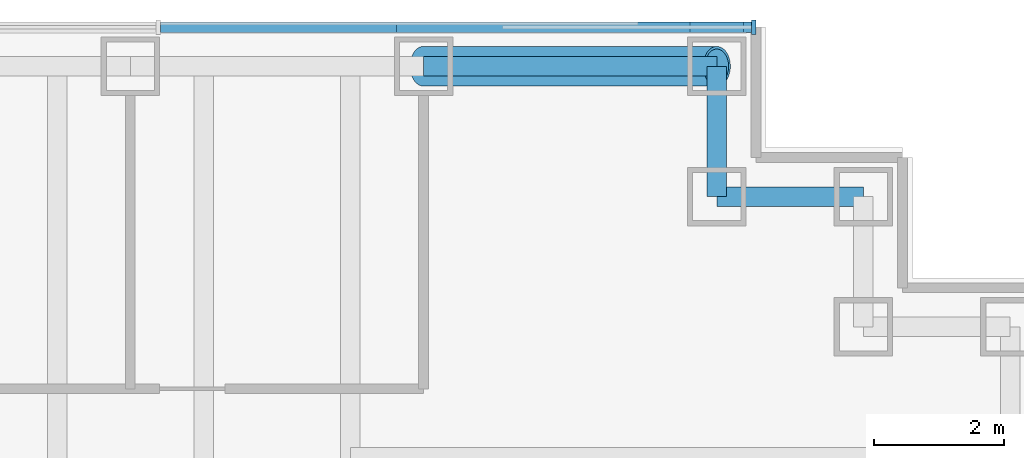
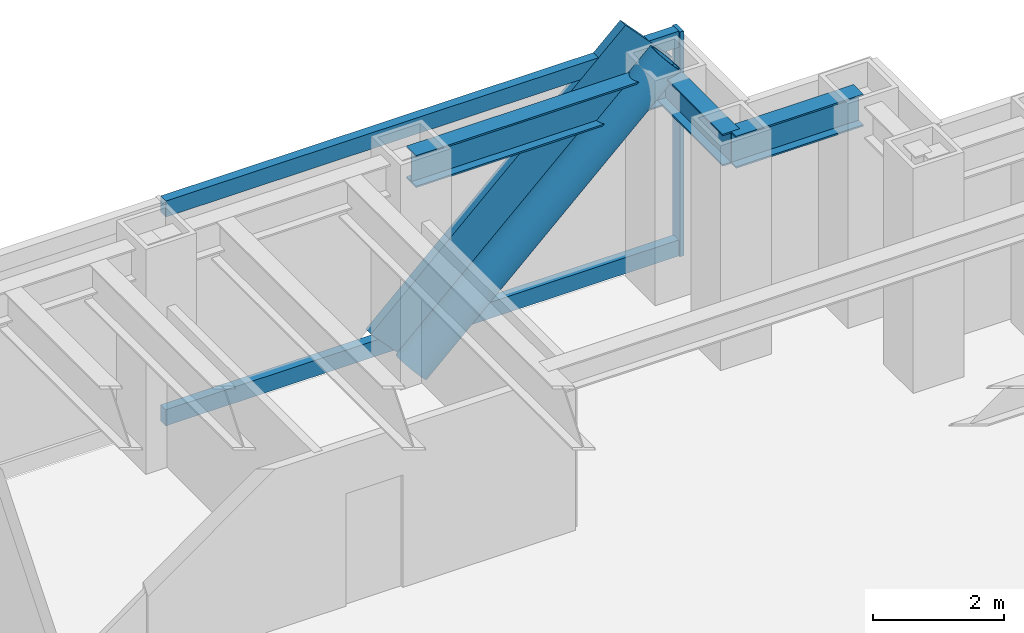
# One storey, part 8 of 14: 5 members, 3 beams, 1 element without a shape of its own.
"""IFC4 building model written with IfcOpenShell, lengths in metres."""

from ifc_helpers import new_model, si_unit, direction, frame, origin, origin_2d, place, context, subcontext, project, spatial, rectangle, hollow_circle, i_section, extrude, material, material_profile, profile_set, type_object, element, aggregate, save


model = new_model("IFC4")

# Units and contexts
model_context = context("Model", 3, precision=1e-05, world=origin(), true_north=direction((0.0, 1.0)))
body_context = subcontext(model_context, "Body", "Model", "MODEL_VIEW")
ifc_project = project(units=[si_unit("LENGTHUNIT", "METRE"), si_unit("AREAUNIT", "SQUARE_METRE"), si_unit("VOLUMEUNIT", "CUBIC_METRE"), si_unit("PLANEANGLEUNIT", "RADIAN"), si_unit("MASSUNIT", "GRAM", prefix="KILO")], contexts=[model_context])

# Site, building, storey
site_placement = place(None, origin())
site = spatial("IfcSite", under=ifc_project, at=site_placement, CompositionType="ELEMENT")
building_placement = place(site_placement, origin())
building = spatial("IfcBuilding", under=site, at=building_placement, Name="Rheinbord Bourse Tower", CompositionType="ELEMENT")
storey_placement = place(building_placement, frame((0.0, 0.0, 211.0)))
storey = spatial("IfcBuildingStorey", under=building, at=storey_placement, Name="L47", CompositionType="ELEMENT", Elevation=211.0)

# Curtain wall, members
ifc_material_1 = material(Name="Dark glass and black aluminium", Category="aluminium")
curtain_wall_type = type_object("IfcCurtainWallType", Name="CW2 DARK GLASS CURTAIN WALL", PredefinedType="USERDEFINED", material=ifc_material_1)
curtain_wall_placement = place(storey_placement, origin())
curtain_wall = element("IfcCurtainWall", 1, at=curtain_wall_placement, inside=storey, type_object=curtain_wall_type, Name="Curtain wall CW2 N L47", ObjectType="UNITISED CURTAIN WALL", PredefinedType="USERDEFINED")
ifc_material_2 = material(Name="Black anodised aluminium", Category="aluminium")
ifc_material_profile_1 = material_profile(ifc_material_2, rectangle(XDim=0.159912109375, YDim=1.2099609375, at=origin_2d()), Name="CW2 DIAGONAL MULLION 1210x160")
ifc_profile_set_1 = profile_set([ifc_material_profile_1], Name="Black anodised aluminium")
member_type_1 = type_object("IfcMemberType", Name="CW2 BLACK DIAGONAL MULLION", PredefinedType="USERDEFINED", material=ifc_profile_set_1)
member_1_placement = place(storey_placement, frame((63.0, 44.60009765625, 0.0), z_axis=(0.73105922506, 0.0, 0.682314010889), x_axis=(0.0, 1.0, 0.0)))
member_1 = element("IfcMember", 2, at=member_1_placement, type_object=member_type_1, Name="CW2 diagonal mullion d", ObjectType="DIAGONAL MULLION", PredefinedType="USERDEFINED", context=body_context, shape_type="SweptSolid", body=[
    extrude(rectangle(XDim=0.159912109375, YDim=1.2099609375, at=origin_2d()), origin(), (0.0, 0.0, 1.0), 6.155517578125),
])
ifc_material_3 = material(Name="Black anodised aluminium", Category="aluminium")
ifc_material_profile_2 = material_profile(ifc_material_3, rectangle(XDim=0.219970703125, YDim=0.070068359375, at=origin_2d()), Name="CW2 MULLION 70x220")
ifc_profile_set_2 = profile_set([ifc_material_profile_2], Name="Black anodised aluminium")
member_type_2 = type_object("IfcMemberType", Name="CW2 BLACK MULLION", PredefinedType="MULLION", material=ifc_profile_set_2)
member_2_placement = place(storey_placement, frame((68.06494140625, 44.60009765625, 0.0), z_axis=(0.0, 0.0, 1.0), x_axis=(0.0, -1.0, 0.0)))
member_2 = element("IfcMember", 3, at=member_2_placement, type_object=member_type_2, Name="CW2 mullion 1", PredefinedType="MULLION", context=body_context, shape_type="SweptSolid", body=[
    extrude(rectangle(XDim=0.219970703125, YDim=0.070068359375, at=origin_2d()), origin(), (0.0, 0.0, 1.0), 4.199951171875),
])
ifc_material_4 = material(Name="Black anodised aluminium", Category="aluminium")
ifc_material_profile_3 = material_profile(ifc_material_4, rectangle(XDim=0.159912109375, YDim=0.300048828125, at=origin_2d()), Name="CW2 TRANSOM 300x160")
ifc_profile_set_3 = profile_set([ifc_material_profile_3], Name="Black anodised aluminium")
member_type_3 = type_object("IfcMemberType", Name="CW2 BLACK TRANSOM", PredefinedType="USERDEFINED", material=ifc_profile_set_3)
member_3_placement = place(storey_placement, frame((68.030029296875, 44.60009765625, 0.14990234375), z_axis=(-1.0, 0.0, 0.0), x_axis=(0.0, -1.0, 0.0)))
member_3 = element("IfcMember", 4, at=member_3_placement, type_object=member_type_3, Name="CW2 transom 1.1", ObjectType="TRANSOM", PredefinedType="USERDEFINED", context=body_context, shape_type="SweptSolid", body=[
    extrude(rectangle(XDim=0.159912109375, YDim=0.300048828125, at=origin_2d()), origin(), (0.0, 0.0, 1.0), 9.06640625),
])
member_4_placement = place(storey_placement, frame((68.030029296875, 44.60009765625, 4.050048828125), z_axis=(-1.0, 0.0, 0.0), x_axis=(0.0, -1.0, 0.0)))
member_4 = element("IfcMember", 5, at=member_4_placement, type_object=member_type_3, Name="CW2 transom 1.2", ObjectType="TRANSOM", PredefinedType="USERDEFINED", context=body_context, shape_type="SweptSolid", body=[
    extrude(rectangle(XDim=0.159912109375, YDim=0.300048828125, at=origin_2d()), origin(), (0.0, 0.0, 1.0), 9.06640625),
])
aggregate(curtain_wall, [member_2, member_3, member_4, member_1])

# Member
ifc_material_5 = material(Name="Steel S460", Category="steel")
ifc_material_profile_4 = material_profile(ifc_material_5, hollow_circle(Radius=0.304931640625, WallThickness=0.0400390625, at=origin_2d()), Name="CHS 610x40")
ifc_profile_set_4 = profile_set([ifc_material_profile_4], Name="Steel S460")
member_type_4 = type_object("IfcMemberType", Name="MEGABRACE CHS 610x40", PredefinedType="BRACE", material=ifc_profile_set_4)
member_5_placement = place(storey_placement, frame((63.0, 44.0, 0.0), z_axis=(0.73105922506, 0.0, 0.682314010889), x_axis=(0.0, 1.0, 0.0)))
element("IfcMember", 6, at=member_5_placement, inside=storey, type_object=member_type_4, Name="Megabrace N face line d L47", PredefinedType="BRACE", context=body_context, shape_type="SweptSolid", body=[
    extrude(hollow_circle(Radius=0.304931640625, WallThickness=0.0400390625, at=origin_2d()), origin(), (0.0, 0.0, 1.0), 6.155517578125),
])

# Beams
ifc_material_6 = material(Name="Steel S460", Category="steel")
ifc_material_profile_5 = material_profile(ifc_material_6, i_section(OverallWidth=0.300048828125, OverallDepth=0.60009765625, WebThickness=0.015380859375, FlangeThickness=0.030029296875, at=origin_2d()), Name="HEB 600")
ifc_profile_set_5 = profile_set([ifc_material_profile_5], Name="Steel S460")
beam_type = type_object("IfcBeamType", Name="SPANDREL HEB 600", PredefinedType="SPANDREL", material=ifc_profile_set_5)
beam_1_placement = place(storey_placement, frame((69.75, 42.0, 3.739990234375), z_axis=(-1.0, 0.0, 0.0), x_axis=(0.0, -1.0, 0.0)))
element("IfcBeam", 7, at=beam_1_placement, inside=storey, type_object=beam_type, Name="Spandrel NE-C-NE-D under L48", PredefinedType="SPANDREL", context=body_context, shape_type="SweptSolid", body=[
    extrude(i_section(OverallWidth=0.300048828125, OverallDepth=0.60009765625, WebThickness=0.015380859375, FlangeThickness=0.030029296875, at=origin_2d()), origin(), (0.0, 0.0, 1.0), 2.25),
])
beam_2_placement = place(storey_placement, frame((67.5, 42.0, 3.739990234375), z_axis=(0.0, 1.0, 0.0), x_axis=(-1.0, 0.0, 0.0)))
element("IfcBeam", 8, at=beam_2_placement, inside=storey, type_object=beam_type, Name="Spandrel NE-D-NE-E under L48", PredefinedType="SPANDREL", context=body_context, shape_type="SweptSolid", body=[
    extrude(i_section(OverallWidth=0.300048828125, OverallDepth=0.60009765625, WebThickness=0.015380859375, FlangeThickness=0.030029296875, at=origin_2d()), origin(), (0.0, 0.0, 1.0), 2.0),
])
beam_3_placement = place(storey_placement, frame((67.5, 44.0, 3.739990234375), z_axis=(-1.0, 0.0, 0.0), x_axis=(0.0, -1.0, 0.0)))
element("IfcBeam", 9, at=beam_3_placement, inside=storey, type_object=beam_type, Name="Spandrel NE-E-N-63 under L48", PredefinedType="SPANDREL", context=body_context, shape_type="SweptSolid", body=[
    extrude(i_section(OverallWidth=0.300048828125, OverallDepth=0.60009765625, WebThickness=0.015380859375, FlangeThickness=0.030029296875, at=origin_2d()), origin(), (0.0, 0.0, 1.0), 4.5),
])

save(model, "model.ifc")
